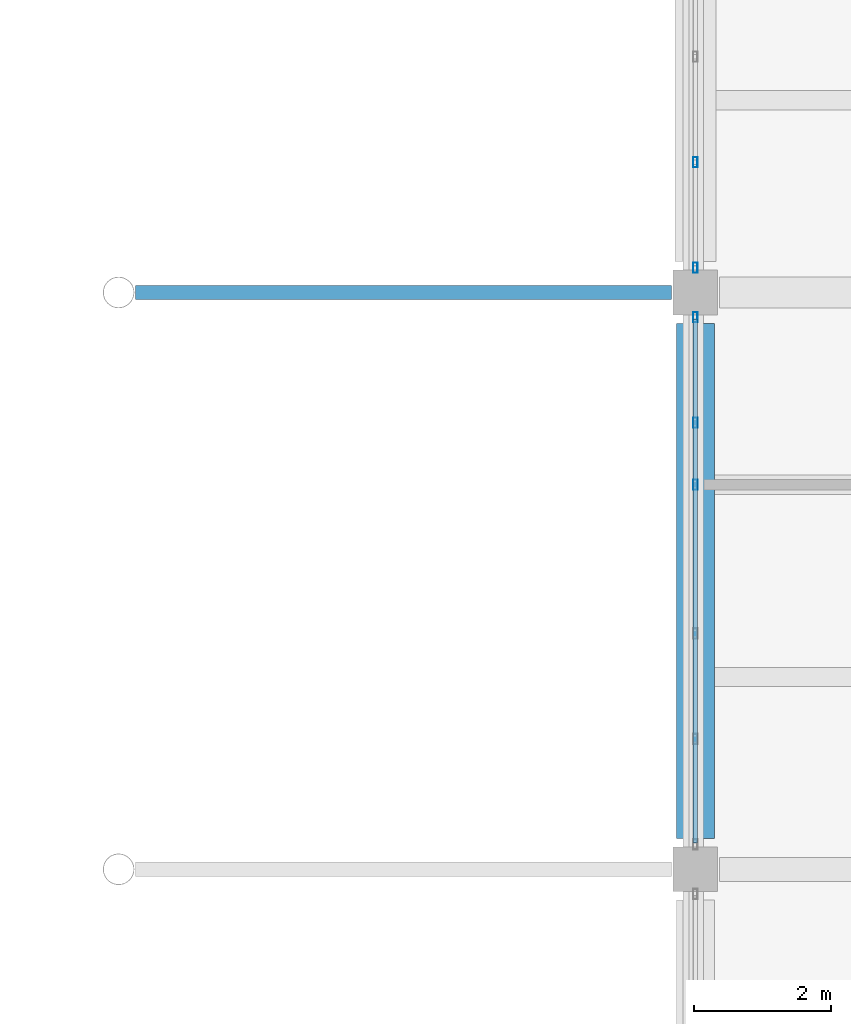
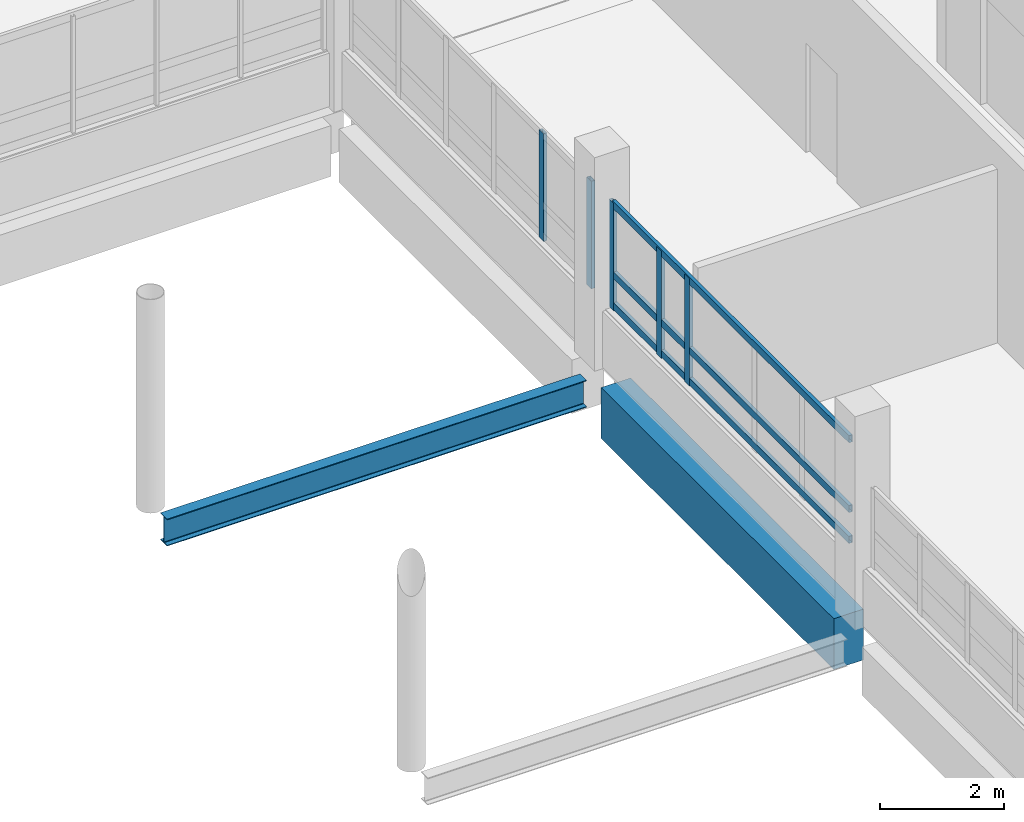
# One storey, part 48 of 101: 8 members, 2 beams, 2 elements without a shape of their own.
"""IFC4 building model written with IfcOpenShell, lengths in metres."""

from ifc_helpers import new_model, si_unit, direction, frame, origin, origin_2d, place, context, subcontext, project, spatial, rectangle, hollow_rectangle, i_section, extrude, material, layer, layer_set, material_profile, profile_set, type_object, element, aggregate, save


model = new_model("IFC4")

# Units and contexts
model_context = context("Model", 3, precision=1e-05, world=origin(), true_north=direction((0.0, 1.0)))
body_context = subcontext(model_context, "Body", "Model", "MODEL_VIEW")
ifc_project = project(units=[si_unit("LENGTHUNIT", "METRE"), si_unit("AREAUNIT", "SQUARE_METRE"), si_unit("VOLUMEUNIT", "CUBIC_METRE"), si_unit("PLANEANGLEUNIT", "RADIAN"), si_unit("MASSUNIT", "GRAM", prefix="KILO")], contexts=[model_context])

# Site, building, storey
site_placement = place(None, origin())
site = spatial("IfcSite", under=ifc_project, at=site_placement, CompositionType="ELEMENT")
building_placement = place(site_placement, origin())
building = spatial("IfcBuilding", under=site, at=building_placement, Name="Vireocrest Preparatory School", CompositionType="ELEMENT")
storey_placement = place(building_placement, frame((0.0, 0.0, 4.800048828125)))
storey = spatial("IfcBuildingStorey", under=building, at=storey_placement, Name="L01", CompositionType="ELEMENT", Elevation=4.800048828125)

# Curtain wall, members
ifc_material_1 = material(Name="Thermally broken aluminium EN AW-6063-T6", Category="aluminium")
ifc_layer = layer(ifc_material_1, 0.179931640625)
ifc_layer_set = layer_set([ifc_layer], Name="Thermally broken aluminium EN AW-6063-T6")
curtain_wall_type = type_object("IfcCurtainWallType", Name="Court Banded Curtain Wall 8400x3000", PredefinedType="USERDEFINED", material=ifc_layer_set)
curtain_wall_1_placement = place(storey_placement, origin())
curtain_wall_1 = element("IfcCurtainWall", 1, at=curtain_wall_1_placement, inside=storey, type_object=curtain_wall_type, Name="Curtain Wall CW02 CW_L01_CW02_0924_0693_060", ObjectType="CURTAIN WALL", PredefinedType="USERDEFINED")
ifc_material_profile_1 = material_profile(ifc_material_1, hollow_rectangle(XDim=0.06494140625, YDim=0.14990234375, WallThickness=0.00390625, at=origin_2d()), Name="ALU 65x150x4")
ifc_profile_set_1 = profile_set([ifc_material_profile_1], Name="Thermally broken aluminium EN AW-6063-T6")
member_type_1 = type_object("IfcMemberType", Name="CW Mullion 65x150x4", PredefinedType="MULLION", material=ifc_profile_set_1)
member_1_placement = place(storey_placement, frame((92.39990234375, 74.60009765625, 1.14990234375), z_axis=(0.0, 0.0, 1.0), x_axis=(1.0, 0.0, 0.0)))
member_1 = element("IfcMember", 2, at=member_1_placement, type_object=member_type_1, Name="CW Mullion ML1 CW_L01_CW02_0924_0693_060-4", PredefinedType="MULLION", context=body_context, shape_type="SweptSolid", body=[
    extrude(hollow_rectangle(XDim=0.06494140625, YDim=0.14990234375, WallThickness=0.00390625, at=origin_2d()), origin(), (0.0, 0.0, 1.0), 2.114990234375),
])
member_2_placement = place(storey_placement, frame((92.39990234375, 75.50390625, 1.14990234375), z_axis=(0.0, 0.0, 1.0), x_axis=(1.0, 0.0, 0.0)))
member_2 = element("IfcMember", 3, at=member_2_placement, type_object=member_type_1, Name="CW Mullion ML1 CW_L01_CW02_0924_0693_060-5", PredefinedType="MULLION", context=body_context, shape_type="SweptSolid", body=[
    extrude(hollow_rectangle(XDim=0.06494140625, YDim=0.14990234375, WallThickness=0.00390625, at=origin_2d()), origin(), (0.0, 0.0, 1.0), 2.114990234375),
])
member_3_placement = place(storey_placement, frame((92.39990234375, 77.0400390625, 1.14990234375), z_axis=(0.0, 0.0, 1.0), x_axis=(1.0, 0.0, 0.0)))
member_3 = element("IfcMember", 4, at=member_3_placement, type_object=member_type_1, Name="CW Mullion ML1 CW_L01_CW02_0924_0693_060-6", PredefinedType="MULLION", context=body_context, shape_type="SweptSolid", body=[
    extrude(hollow_rectangle(XDim=0.06494140625, YDim=0.14990234375, WallThickness=0.00390625, at=origin_2d()), origin(), (0.0, 0.0, 1.0), 2.114990234375),
])

curtain_wall_2_placement = place(storey_placement, origin())
curtain_wall_2 = element("IfcCurtainWall", 5, at=curtain_wall_2_placement, inside=storey, type_object=curtain_wall_type, Name="Curtain Wall CW02 CW_L01_CW02_0924_0777_060", ObjectType="CURTAIN WALL", PredefinedType="USERDEFINED")
member_4_placement = place(storey_placement, frame((92.39990234375, 77.760009765625, 1.14990234375), z_axis=(0.0, 0.0, 1.0), x_axis=(1.0, 0.0, 0.0)))
member_4 = element("IfcMember", 6, at=member_4_placement, type_object=member_type_1, Name="CW Mullion ML1 CW_L01_CW02_0924_0777_060-1", PredefinedType="MULLION", context=body_context, shape_type="SweptSolid", body=[
    extrude(hollow_rectangle(XDim=0.06494140625, YDim=0.14990234375, WallThickness=0.00390625, at=origin_2d()), origin(), (0.0, 0.0, 1.0), 2.114990234375),
])
member_5_placement = place(storey_placement, frame((92.39990234375, 79.2958984375, 1.14990234375), z_axis=(0.0, 0.0, 1.0), x_axis=(1.0, 0.0, 0.0)))
member_5 = element("IfcMember", 7, at=member_5_placement, type_object=member_type_1, Name="CW Mullion ML1 CW_L01_CW02_0924_0777_060-2", PredefinedType="MULLION", context=body_context, shape_type="SweptSolid", body=[
    extrude(hollow_rectangle(XDim=0.06494140625, YDim=0.14990234375, WallThickness=0.00390625, at=origin_2d()), origin(), (0.0, 0.0, 1.0), 2.114990234375),
])
aggregate(curtain_wall_2, [member_4, member_5])

# Member
ifc_material_profile_2 = material_profile(ifc_material_1, hollow_rectangle(XDim=0.06494140625, YDim=0.139892578125, WallThickness=0.00390625, at=origin_2d()), Name="ALU 65x140x4")
ifc_profile_set_2 = profile_set([ifc_material_profile_2], Name="Thermally broken aluminium EN AW-6063-T6")
member_type_2 = type_object("IfcMemberType", Name="CW Transom 65x140x4", PredefinedType="USERDEFINED", material=ifc_profile_set_2)
member_6_placement = place(storey_placement, frame((92.39990234375, 69.385009765625, 1.244873046875), z_axis=(0.0, 1.0, 0.0), x_axis=(-1.0, 0.0, 0.0)))
member_6 = element("IfcMember", 8, at=member_6_placement, type_object=member_type_2, Name="CW Transom TR1 CW_L01_CW02_0924_0693_060-1", ObjectType="TRANSOM", PredefinedType="USERDEFINED", context=body_context, shape_type="SweptSolid", body=[
    extrude(hollow_rectangle(XDim=0.06494140625, YDim=0.139892578125, WallThickness=0.00390625, at=origin_2d()), origin(), (0.0, 0.0, 1.0), 7.6298828125),
])

member_7_placement = place(storey_placement, frame((92.39990234375, 69.385009765625, 1.849853515625), z_axis=(0.0, 1.0, 0.0), x_axis=(-1.0, 0.0, 0.0)))
member_7 = element("IfcMember", 9, at=member_7_placement, type_object=member_type_2, Name="CW Transom TR1 CW_L01_CW02_0924_0693_060-2", ObjectType="TRANSOM", PredefinedType="USERDEFINED", context=body_context, shape_type="SweptSolid", body=[
    extrude(hollow_rectangle(XDim=0.06494140625, YDim=0.139892578125, WallThickness=0.00390625, at=origin_2d()), origin(), (0.0, 0.0, 1.0), 7.6298828125),
])

member_8_placement = place(storey_placement, frame((92.39990234375, 69.385009765625, 3.224853515625), z_axis=(0.0, 1.0, 0.0), x_axis=(-1.0, 0.0, 0.0)))
member_8 = element("IfcMember", 10, at=member_8_placement, type_object=member_type_2, Name="CW Transom TR1 CW_L01_CW02_0924_0693_060-3", ObjectType="TRANSOM", PredefinedType="USERDEFINED", context=body_context, shape_type="SweptSolid", body=[
    extrude(hollow_rectangle(XDim=0.06494140625, YDim=0.139892578125, WallThickness=0.00390625, at=origin_2d()), origin(), (0.0, 0.0, 1.0), 7.6298828125),
])

aggregate(curtain_wall_1, [member_1, member_2, member_3, member_6, member_7, member_8])

# Beams
ifc_material_2 = material(Name="Structural steel ASTM A992 Grade 50", Category="steel")
ifc_material_profile_3 = material_profile(ifc_material_2, i_section(OverallWidth=0.208984375, OverallDepth=0.532958984375, WebThickness=0.01025390625, FlangeThickness=0.015625, FilletRadius=0.014892578125, at=origin_2d()), Name="W21X62")
ifc_profile_set_3 = profile_set([ifc_material_profile_3], Name="Structural steel ASTM A992 Grade 50")
beam_type_1 = type_object("IfcBeamType", Name="Court Tie Girder W21X62", PredefinedType="BEAM", material=ifc_profile_set_3)
beam_1_placement = place(storey_placement, frame((84.2490234375, 77.39990234375, -0.566650390625), z_axis=(1.0, 0.0, 0.0), x_axis=(0.0, 1.0, 0.0)))
element("IfcBeam", 11, at=beam_1_placement, inside=storey, type_object=beam_type_1, Name="Court Trunk Lateral Tie Girder SB5 E7 L01", PredefinedType="BEAM", context=body_context, shape_type="SweptSolid", body=[
    extrude(i_section(OverallWidth=0.208984375, OverallDepth=0.532958984375, WebThickness=0.01025390625, FlangeThickness=0.015625, FilletRadius=0.014892578125, at=origin_2d()), origin(), (0.0, 0.0, 1.0), 7.805908203125),
])
ifc_material_3 = material(Name="Concrete 40 MPa", Category="concrete")
ifc_material_profile_4 = material_profile(ifc_material_3, rectangle(XDim=0.550048828125, YDim=1.0, at=origin_2d()), Name="RC 550x1000")
ifc_profile_set_4 = profile_set([ifc_material_profile_4], Name="Concrete 40 MPa")
beam_type_2 = type_object("IfcBeamType", Name="RC Core Coupling Beam 550x1000", PredefinedType="BEAM", material=ifc_profile_set_4)
beam_2_placement = place(storey_placement, frame((92.39990234375, 69.449951171875, -0.760009765625), z_axis=(0.0, 1.0, 0.0), x_axis=(-1.0, 0.0, 0.0)))
element("IfcBeam", 12, at=beam_2_placement, inside=storey, type_object=beam_type_2, Name="Primary Girder B18 L01-0443", PredefinedType="BEAM", context=body_context, shape_type="SweptSolid", body=[
    extrude(rectangle(XDim=0.550048828125, YDim=1.0, at=origin_2d()), origin(), (0.0, 0.0, 1.0), 7.5),
])

save(model, "model.ifc")
